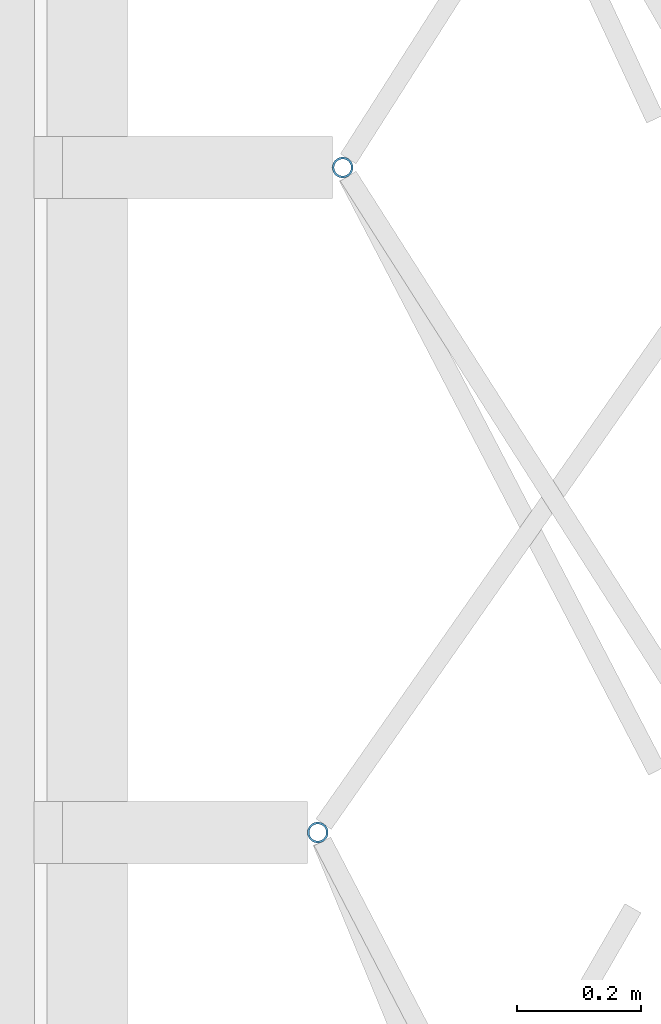
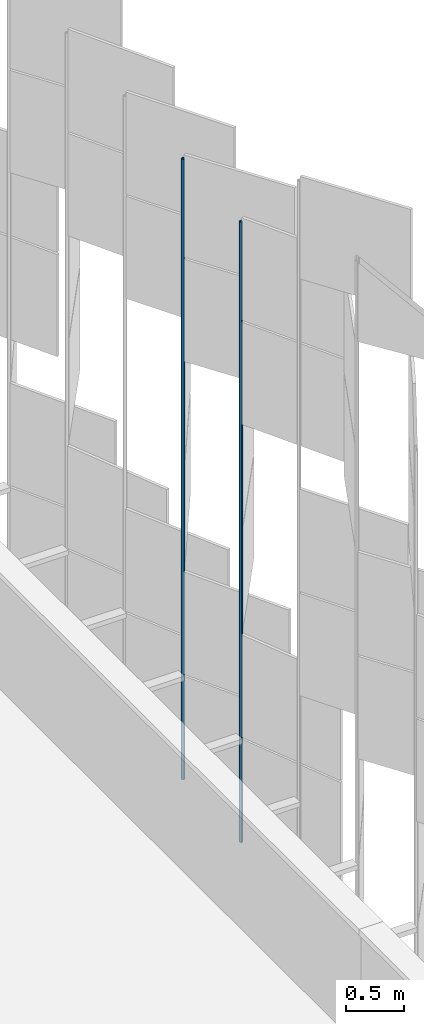
# One storey, part 277 of 483: 2 discrete accessories.
"""IFC4 building model written with IfcOpenShell, lengths in metres."""

from ifc_helpers import new_model, si_unit, direction, frame, origin, origin_2d, place, context, subcontext, project, spatial, hollow_circle, extrude, material, material_profile, profile_set, type_object, element, save


model = new_model("IFC4")

# Units and contexts
model_context = context("Model", 3, precision=1e-05, world=origin(), true_north=direction((0.0, 1.0)))
body_context = subcontext(model_context, "Body", "Model", "MODEL_VIEW")
ifc_project = project(units=[si_unit("LENGTHUNIT", "METRE"), si_unit("AREAUNIT", "SQUARE_METRE"), si_unit("VOLUMEUNIT", "CUBIC_METRE"), si_unit("PLANEANGLEUNIT", "RADIAN"), si_unit("MASSUNIT", "GRAM", prefix="KILO")], contexts=[model_context])

# Site, building, storey
site_placement = place(None, origin())
site = spatial("IfcSite", under=ifc_project, at=site_placement, CompositionType="ELEMENT")
building_placement = place(site_placement, origin())
building = spatial("IfcBuilding", under=site, at=building_placement, Name="Parallax Yard Mobility Hub", CompositionType="ELEMENT")
storey_placement = place(building_placement, frame((0.0, 0.0, 13.199951171875)))
storey = spatial("IfcBuildingStorey", under=building, at=storey_placement, Name="L04", CompositionType="ELEMENT", Elevation=13.199951171875)

# Discrete accessories
ifc_material = material(Name="Steel ASTM A500 Gr C, hot-dip galvanised", Category="steel")
ifc_material_profile = material_profile(ifc_material, hollow_circle(Radius=0.016845703125, WallThickness=0.003173828125, at=origin_2d()), Name="CHS 33.7x3.2")
ifc_profile_set = profile_set([ifc_material_profile], Name="Steel ASTM A500 Gr C, hot-dip galvanised")
discrete_accessory_type = type_object("IfcDiscreteAccessoryType", Name="Hinge post CHS 33.7x3.2", PredefinedType="BRACKET", material=ifc_profile_set)
for number, where, z_axis, x_axis, name in (
    (1, (225.410888671875, 78.21337890625, 0.0), (0.0, 0.0, 1.0), (1.0, 0.0, 0.0), "Hinge post bay 39.4 level L04"),
    (2, (225.450927734375, 79.28515625, 0.0), (0.0, 0.0, 1.0), (1.0, 0.0, 0.0), "Hinge post bay 39.5 level L04"),
):
    element("IfcDiscreteAccessory", number, at=place(storey_placement, frame(where, z_axis=z_axis, x_axis=x_axis)), inside=storey, type_object=discrete_accessory_type, Name=name, PredefinedType="BRACKET", context=body_context, shape_type="SweptSolid", body=[
        extrude(hollow_circle(Radius=0.016845703125, WallThickness=0.003173828125, at=origin_2d()), origin(), (0.0, 0.0, 1.0), 6.550048828125),
    ])

save(model, "model.ifc")
